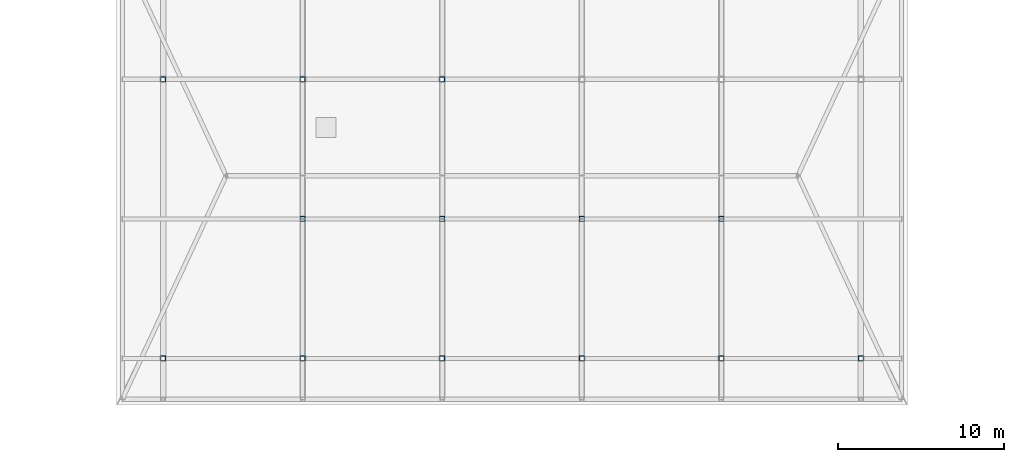
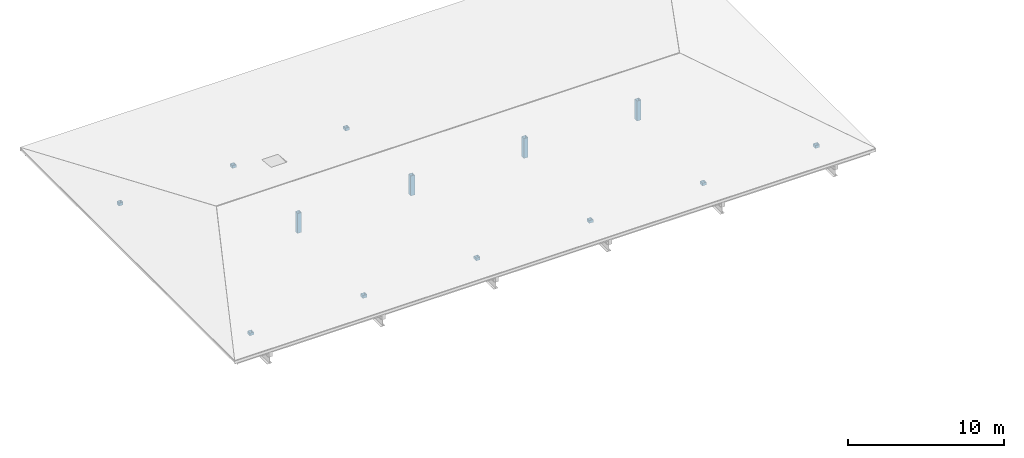
# One storey, part 1 of 13: 13 columns.
"""IFC4 building model written with IfcOpenShell, lengths in metres."""

from ifc_helpers import new_model, si_unit, direction, frame, origin, origin_2d, place, context, subcontext, project, spatial, hollow_rectangle, extrude, material, material_profile, profile_set, type_object, element, save


model = new_model("IFC4")

# Units and contexts
model_context = context("Model", 3, precision=1e-05, world=origin(), true_north=direction((0.0, 1.0)))
body_context = subcontext(model_context, "Body", "Model", "MODEL_VIEW")
ifc_project = project(units=[si_unit("LENGTHUNIT", "METRE"), si_unit("AREAUNIT", "SQUARE_METRE"), si_unit("VOLUMEUNIT", "CUBIC_METRE"), si_unit("PLANEANGLEUNIT", "RADIAN"), si_unit("MASSUNIT", "GRAM", prefix="KILO")], contexts=[model_context])

# Site, building, storey
site_placement = place(None, origin())
site = spatial("IfcSite", under=ifc_project, at=site_placement, CompositionType="ELEMENT")
building_placement = place(site_placement, origin())
building = spatial("IfcBuilding", under=site, at=building_placement, Name="Cumbredor Promenade Congress Hotel", CompositionType="ELEMENT")
storey_placement = place(building_placement, frame((0.0, 0.0, 38.639892578125)))
storey = spatial("IfcBuildingStorey", under=building, at=storey_placement, Name="RF", CompositionType="ELEMENT", Elevation=38.639892578125)

# Columns
ifc_material = material(Name="Steel ASTM A500 Grade C", Category="steel")
ifc_material_profile = material_profile(ifc_material, hollow_rectangle(XDim=0.300048828125, YDim=0.300048828125, WallThickness=0.01611328125, at=origin_2d()), Name="HSS 300x300x16")
ifc_profile_set = profile_set([ifc_material_profile], Name="Steel ASTM A500 Grade C")
column_type = type_object("IfcColumnType", Name="COL-STL-HSS300", PredefinedType="COLUMN", material=ifc_profile_set)
for number, where, z_axis, x_axis, name in (
    (1, (8.39990234375, 92.39990234375, 0.005126953125), (0.0, 0.0, 1.0), (1.0, 0.0, 0.0), "Hotel Roof Bearing Post X8S"),
    (2, (8.39990234375, 109.199951171875, 0.005126953125), (0.0, 0.0, 1.0), (1.0, 0.0, 0.0), "Hotel Roof Bearing Post X8N"),
    (3, (16.800048828125, 92.39990234375, 0.005126953125), (0.0, 0.0, 1.0), (1.0, 0.0, 0.0), "Hotel Roof Bearing Post X16S"),
    (4, (16.800048828125, 109.199951171875, 0.005126953125), (0.0, 0.0, 1.0), (1.0, 0.0, 0.0), "Hotel Roof Bearing Post X16N"),
    (5, (25.199951171875, 92.39990234375, 0.005126953125), (0.0, 0.0, 1.0), (1.0, 0.0, 0.0), "Hotel Roof Bearing Post X25S"),
    (6, (25.199951171875, 109.199951171875, 0.005126953125), (0.0, 0.0, 1.0), (1.0, 0.0, 0.0), "Hotel Roof Bearing Post X25N"),
    (7, (33.60009765625, 92.39990234375, 0.005126953125), (0.0, 0.0, 1.0), (1.0, 0.0, 0.0), "Hotel Roof Bearing Post X33S"),
    (8, (42.0, 92.39990234375, 0.005126953125), (0.0, 0.0, 1.0), (1.0, 0.0, 0.0), "Hotel Roof Bearing Post X42S"),
    (9, (50.39990234375, 92.39990234375, 0.005126953125), (0.0, 0.0, 1.0), (1.0, 0.0, 0.0), "Hotel Roof Bearing Post X50S"),
):
    element("IfcColumn", number, at=place(storey_placement, frame(where, z_axis=z_axis, x_axis=x_axis)), inside=storey, type_object=column_type, Name=name, PredefinedType="COLUMN", context=body_context, shape_type="SweptSolid", body=[
        extrude(hollow_rectangle(XDim=0.300048828125, YDim=0.300048828125, WallThickness=0.01611328125, at=origin_2d()), origin(), (0.0, 0.0, 1.0), 0.215087890625),
    ])
for number, where, z_axis, x_axis, name in (
    (10, (16.800048828125, 100.800048828125, 0.005126953125), (0.0, 0.0, 1.0), (1.0, 0.0, 0.0), "Hotel Tropical Roof Ridge Post 01"),
    (11, (25.199951171875, 100.800048828125, 0.005126953125), (0.0, 0.0, 1.0), (1.0, 0.0, 0.0), "Hotel Tropical Roof Ridge Post 02"),
    (12, (33.60009765625, 100.800048828125, 0.005126953125), (0.0, 0.0, 1.0), (1.0, 0.0, 0.0), "Hotel Tropical Roof Ridge Post 03"),
    (13, (42.0, 100.800048828125, 0.005126953125), (0.0, 0.0, 1.0), (1.0, 0.0, 0.0), "Hotel Tropical Roof Ridge Post 04"),
):
    element("IfcColumn", number, at=place(storey_placement, frame(where, z_axis=z_axis, x_axis=x_axis)), inside=storey, type_object=column_type, Name=name, PredefinedType="COLUMN", context=body_context, shape_type="SweptSolid", body=[
        extrude(hollow_rectangle(XDim=0.300048828125, YDim=0.300048828125, WallThickness=0.01611328125, at=origin_2d()), origin(), (0.0, 0.0, 1.0), 1.56494140625),
    ])

save(model, "model.ifc")
